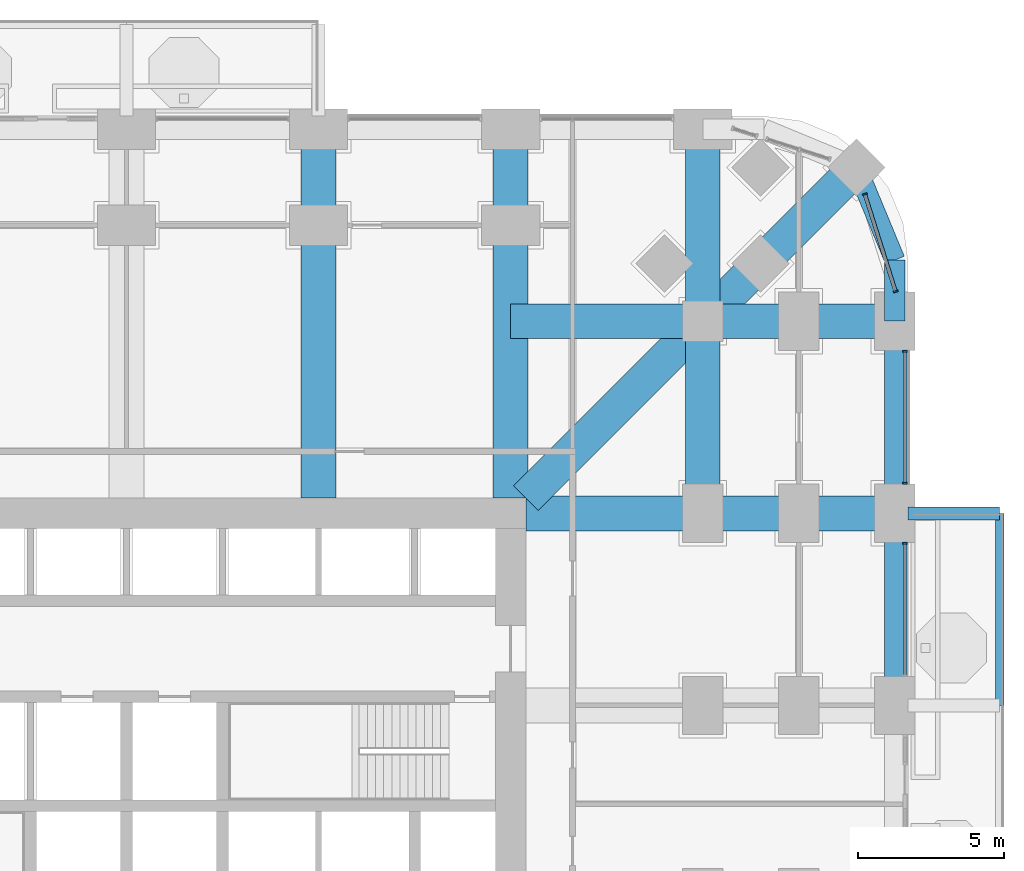
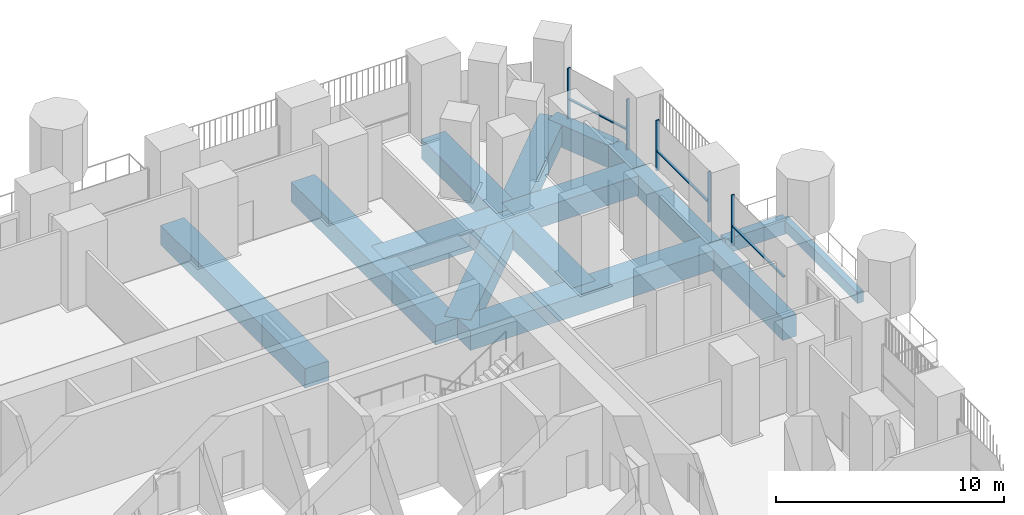
# One storey, part 8 of 24: 15 beams, 8 members, 3 elements without a shape of their own.
"""IFC4 building model written with IfcOpenShell, lengths in metres."""

from ifc_helpers import new_model, si_unit, direction, frame, origin, origin_2d, place, context, subcontext, project, spatial, rectangle, extrude, material, material_profile, profile_set, type_object, element, aggregate, save


model = new_model("IFC4")

# Units and contexts
model_context = context("Model", 3, precision=1e-05, world=origin(), true_north=direction((0.0, 1.0)))
body_context = subcontext(model_context, "Body", "Model", "MODEL_VIEW")
ifc_project = project(units=[si_unit("LENGTHUNIT", "METRE"), si_unit("AREAUNIT", "SQUARE_METRE"), si_unit("VOLUMEUNIT", "CUBIC_METRE"), si_unit("PLANEANGLEUNIT", "RADIAN"), si_unit("MASSUNIT", "GRAM", prefix="KILO")], contexts=[model_context])

# Site, building, storey
site_placement = place(None, origin())
site = spatial("IfcSite", under=ifc_project, at=site_placement, CompositionType="ELEMENT")
building_placement = place(site_placement, origin())
building = spatial("IfcBuilding", under=site, at=building_placement, Name="Cobogo Forest Laboratory Tower", CompositionType="ELEMENT")
storey_placement = place(building_placement, frame((0.0, 0.0, 17.10009765625)))
storey = spatial("IfcBuildingStorey", under=building, at=storey_placement, Name="L03", CompositionType="ELEMENT", Elevation=17.10009765625)

# Beams
ifc_material_1 = material(Name="Concrete HA-40 (C40/50)", Category="concrete")
ifc_material_profile_1 = material_profile(ifc_material_1, rectangle(XDim=0.449951171875, YDim=0.75, at=origin_2d()), Name="RC 450x750")
ifc_profile_set_1 = profile_set([ifc_material_profile_1], Name="Concrete HA-40 (C40/50)")
beam_type_1 = type_object("IfcBeamType", Name="Balcony cantilever beam 450x750", PredefinedType="BEAM", material=ifc_profile_set_1)
beam_1_placement = place(storey_placement, frame((53.25, 33.0, -0.625), z_axis=(1.0, 0.0, 0.0), x_axis=(0.0, 1.0, 0.0)))
element("IfcBeam", 1, at=beam_1_placement, inside=storey, type_object=beam_type_1, Name="CB1 BAL-E1-C3 L03", PredefinedType="BEAM", context=body_context, shape_type="SweptSolid", body=[
    extrude(rectangle(XDim=0.449951171875, YDim=0.75, at=origin_2d()), origin(), (0.0, 0.0, 1.0), 3.14990234375),
])
ifc_material_profile_2 = material_profile(ifc_material_1, rectangle(XDim=0.300048828125, YDim=0.60009765625, at=origin_2d()), Name="RC 300x600")
ifc_profile_set_2 = profile_set([ifc_material_profile_2], Name="Concrete HA-40 (C40/50)")
beam_type_2 = type_object("IfcBeamType", Name="Balcony edge beam 300x600", PredefinedType="BEAM", material=ifc_profile_set_2)
beam_2_placement = place(storey_placement, frame((56.39990234375, 26.39990234375, -0.550048828125), z_axis=(0.0, 1.0, 0.0), x_axis=(-1.0, 0.0, 0.0)))
element("IfcBeam", 2, at=beam_2_placement, inside=storey, type_object=beam_type_2, Name="BB1 BAL-E1-T2 L03", PredefinedType="BEAM", context=body_context, shape_type="SweptSolid", body=[
    extrude(rectangle(XDim=0.300048828125, YDim=0.60009765625, at=origin_2d()), origin(), (0.0, 0.0, 1.0), 6.60009765625),
])
ifc_material_profile_3 = material_profile(ifc_material_1, rectangle(XDim=1.199951171875, YDim=1.050048828125, at=origin_2d()), Name="RC 1200x1050")
ifc_profile_set_3 = profile_set([ifc_material_profile_3], Name="Concrete HA-40 (C40/50)")
beam_type_3 = type_object("IfcBeamType", Name="Laboratory floor wide beam 1200x1050", PredefinedType="BEAM", material=ifc_profile_set_3)
for number, where, z_axis, x_axis, name in (
    (3, (33.0, 33.52490234375, -0.8251953125), (0.0, 1.0, 0.0), (-1.0, 0.0, 0.0), "RB1 R-6-N L03"),
    (4, (39.60009765625, 33.52490234375, -0.8251953125), (0.0, 1.0, 0.0), (-1.0, 0.0, 0.0), "RB1 R-7-N L03"),
    (5, (40.125, 33.0, -0.8251953125), (1.0, 0.0, 0.0), (0.0, 1.0, 0.0), "RB1 R-F-E L03"),
):
    element("IfcBeam", number, at=place(storey_placement, frame(where, z_axis=z_axis, x_axis=x_axis)), inside=storey, type_object=beam_type_3, Name=name, PredefinedType="BEAM", context=body_context, shape_type="SweptSolid", body=[
        extrude(rectangle(XDim=1.199951171875, YDim=1.050048828125, at=origin_2d()), origin(), (0.0, 0.0, 1.0), 12.675048828125),
    ])
beam_3_placement = place(storey_placement, frame((46.199951171875, 46.199951171875, -0.8251953125), z_axis=(0.0, -1.0, 0.0), x_axis=(1.0, 0.0, 0.0)))
element("IfcBeam", 6, at=beam_3_placement, inside=storey, type_object=beam_type_3, Name="RB1 G-NE-XF L03", PredefinedType="BEAM", context=body_context, shape_type="SweptSolid", body=[
    extrude(rectangle(XDim=1.199951171875, YDim=1.050048828125, at=origin_2d()), origin(), (0.0, 0.0, 1.0), 6.599853515625),
])
for number, where, z_axis, x_axis, name in (
    (7, (46.199951171875, 39.60009765625, -0.8251953125), (0.0, -1.0, 0.0), (1.0, 0.0, 0.0), "RB1 G-NE-XC L03"),
    (8, (52.800048828125, 39.60009765625, -0.8251953125), (-1.0, 0.0, 0.0), (0.0, -1.0, 0.0), "RB1 G-NE-YF L03"),
):
    element("IfcBeam", number, at=place(storey_placement, frame(where, z_axis=z_axis, x_axis=x_axis)), inside=storey, type_object=beam_type_3, Name=name, PredefinedType="BEAM", context=body_context, shape_type="SweptSolid", body=[
        extrude(rectangle(XDim=1.199951171875, YDim=1.050048828125, at=origin_2d()), origin(), (0.0, 0.0, 1.0), 6.60009765625),
    ])
beam_4_placement = place(storey_placement, frame((46.199951171875, 39.60009765625, -0.8251953125), z_axis=(-1.0, 0.0, 0.0), x_axis=(0.0, -1.0, 0.0)))
element("IfcBeam", 9, at=beam_4_placement, inside=storey, type_object=beam_type_3, Name="RB1 G-NE-YC L03", PredefinedType="BEAM", context=body_context, shape_type="SweptSolid", body=[
    extrude(rectangle(XDim=1.199951171875, YDim=1.050048828125, at=origin_2d()), origin(), (0.0, 0.0, 1.0), 6.599853515625),
])
beam_5_placement = place(storey_placement, frame((51.48193359375, 44.882080078125, -0.8251953125), z_axis=(-0.707106781187, -0.707106781187, 0.0), x_axis=(0.707106781187, -0.707106781187, 0.0)))
element("IfcBeam", 10, at=beam_5_placement, inside=storey, type_object=beam_type_3, Name="RB1 G-NE-D1 L03", PredefinedType="BEAM", context=body_context, shape_type="SweptSolid", body=[
    extrude(rectangle(XDim=1.199951171875, YDim=1.050048828125, at=origin_2d()), origin(), (0.0, 0.0, 1.0), 7.469970703125),
])
beam_6_placement = place(storey_placement, frame((46.199951171875, 39.60009765625, -0.8251953125), z_axis=(-0.707092572697, -0.70712098939, 0.0), x_axis=(0.70712098939, -0.707092572697, 0.0)))
element("IfcBeam", 11, at=beam_6_placement, inside=storey, type_object=beam_type_3, Name="RB1 G-NE-D2 L03", PredefinedType="BEAM", context=body_context, shape_type="SweptSolid", body=[
    extrude(rectangle(XDim=1.199951171875, YDim=1.050048828125, at=origin_2d()), origin(), (0.0, 0.0, 1.0), 8.591552734375),
])

# Curtain wall, member
ifc_material_2 = material(Name="Aluminium curtain wall", Category="aluminium")
curtain_wall_type = type_object("IfcCurtainWallType", Name="CW-1 unitised curtain wall, clear glazing, laboratory floors zones A and B", PredefinedType="USERDEFINED", material=ifc_material_2)
curtain_wall_1_placement = place(storey_placement, origin())
curtain_wall_1 = element("IfcCurtainWall", 12, at=curtain_wall_1_placement, inside=storey, type_object=curtain_wall_type, Name="Curtain wall 13 L03", ObjectType="UNITISED CURTAIN WALL", PredefinedType="USERDEFINED")
ifc_material_3 = material(Name="Aluminium mullion", Category="aluminium")
ifc_material_profile_4 = material_profile(ifc_material_3, rectangle(XDim=0.06005859375, YDim=0.159912109375, at=origin_2d()), Name="AL 60x160")
ifc_profile_set_4 = profile_set([ifc_material_profile_4], Name="Aluminium mullion")
member_type_1 = type_object("IfcMemberType", Name="MU-1 aluminium mullion 60x160", PredefinedType="MULLION", material=ifc_profile_set_4)
member_1_placement = place(storey_placement, frame((53.14990234375, 31.969970703125, 0.0), z_axis=(0.0, 0.0, 1.0), x_axis=(0.0, 1.0, 0.0)))
member_1 = element("IfcMember", 13, at=member_1_placement, type_object=member_type_1, Name="CW-1 mullion 2", PredefinedType="MULLION", context=body_context, shape_type="SweptSolid", body=[
    extrude(rectangle(XDim=0.06005859375, YDim=0.159912109375, at=origin_2d()), origin(), (0.0, 0.0, 1.0), 2.699951171875),
])

# Curtain wall, members
curtain_wall_2_placement = place(storey_placement, origin())
curtain_wall_2 = element("IfcCurtainWall", 14, at=curtain_wall_2_placement, inside=storey, type_object=curtain_wall_type, Name="Curtain wall 14 L03", ObjectType="UNITISED CURTAIN WALL", PredefinedType="USERDEFINED")
member_2_placement = place(storey_placement, frame((53.14990234375, 34.030029296875, 0.0), z_axis=(0.0, 0.0, 1.0), x_axis=(0.0, 1.0, 0.0)))
member_2 = element("IfcMember", 15, at=member_2_placement, type_object=member_type_1, Name="CW-1 mullion 1", PredefinedType="MULLION", context=body_context, shape_type="SweptSolid", body=[
    extrude(rectangle(XDim=0.06005859375, YDim=0.159912109375, at=origin_2d()), origin(), (0.0, 0.0, 1.0), 2.699951171875),
])
member_3_placement = place(storey_placement, frame((53.14990234375, 38.570068359375, 0.0), z_axis=(0.0, 0.0, 1.0), x_axis=(0.0, 1.0, 0.0)))
member_3 = element("IfcMember", 16, at=member_3_placement, type_object=member_type_1, Name="CW-1 mullion 2", PredefinedType="MULLION", context=body_context, shape_type="SweptSolid", body=[
    extrude(rectangle(XDim=0.06005859375, YDim=0.159912109375, at=origin_2d()), origin(), (0.0, 0.0, 1.0), 2.699951171875),
])

curtain_wall_3_placement = place(storey_placement, origin())
curtain_wall_3 = element("IfcCurtainWall", 17, at=curtain_wall_3_placement, inside=storey, type_object=curtain_wall_type, Name="Curtain wall 15 L03", ObjectType="UNITISED CURTAIN WALL", PredefinedType="USERDEFINED")
member_4_placement = place(storey_placement, frame((52.8251953125, 40.628662109375, 0.0), z_axis=(0.0, 0.0, 1.0), x_axis=(-0.301135433696, 0.953581381201, 0.0)))
member_4 = element("IfcMember", 18, at=member_4_placement, type_object=member_type_1, Name="CW-1 mullion 1", PredefinedType="MULLION", context=body_context, shape_type="SweptSolid", body=[
    extrude(rectangle(XDim=0.06005859375, YDim=0.159912109375, at=origin_2d()), origin(), (0.0, 0.0, 1.0), 2.699951171875),
])
member_5_placement = place(storey_placement, frame((51.772705078125, 43.961181640625, 0.0), z_axis=(0.0, 0.0, 1.0), x_axis=(-0.301135433696, 0.953581381201, 0.0)))
member_5 = element("IfcMember", 19, at=member_5_placement, type_object=member_type_1, Name="CW-1 mullion 2", PredefinedType="MULLION", context=body_context, shape_type="SweptSolid", body=[
    extrude(rectangle(XDim=0.06005859375, YDim=0.159912109375, at=origin_2d()), origin(), (0.0, 0.0, 1.0), 2.699951171875),
])

# Beams
ifc_material_profile_5 = material_profile(ifc_material_1, rectangle(XDim=0.699951171875, YDim=1.199951171875, at=origin_2d()), Name="RC 700x1200")
ifc_profile_set_5 = profile_set([ifc_material_profile_5], Name="Concrete HA-40 (C40/50)")
beam_type_4 = type_object("IfcBeamType", Name="Perimeter edge beam 700x1200", PredefinedType="BEAM", material=ifc_profile_set_5)
for number, where, z_axis, x_axis, name in (
    (20, (52.800048828125, 26.39990234375, -0.900146484375), (0.0, 1.0, 0.0), (-1.0, 0.0, 0.0), "EB1 E-E4 L03"),
    (21, (52.800048828125, 33.0, -0.900146484375), (0.0, 1.0, 0.0), (-1.0, 0.0, 0.0), "EB1 E-E5 L03"),
):
    element("IfcBeam", number, at=place(storey_placement, frame(where, z_axis=z_axis, x_axis=x_axis)), inside=storey, type_object=beam_type_4, Name=name, PredefinedType="BEAM", context=body_context, shape_type="SweptSolid", body=[
        extrude(rectangle(XDim=0.699951171875, YDim=1.199951171875, at=origin_2d()), origin(), (0.0, 0.0, 1.0), 6.60009765625),
    ])
beam_7_placement = place(storey_placement, frame((52.800048828125, 39.60009765625, -0.900146484375), z_axis=(0.0, 1.0, 0.0), x_axis=(-1.0, 0.0, 0.0)))
element("IfcBeam", 22, at=beam_7_placement, inside=storey, type_object=beam_type_4, Name="EB1 E-NEE1 L03", PredefinedType="BEAM", context=body_context, shape_type="SweptSolid", body=[
    extrude(rectangle(XDim=0.699951171875, YDim=1.199951171875, at=origin_2d()), origin(), (0.0, 0.0, 1.0), 2.099853515625),
])
beam_8_placement = place(storey_placement, frame((52.800048828125, 41.699951171875, -0.900146484375), z_axis=(-0.382691928466, 0.923876013265, 0.0), x_axis=(-0.923876013265, -0.382691928466, 0.0)))
element("IfcBeam", 23, at=beam_8_placement, inside=storey, type_object=beam_type_4, Name="EB1 E-NEE2 L03", PredefinedType="BEAM", context=body_context, shape_type="SweptSolid", body=[
    extrude(rectangle(XDim=0.699951171875, YDim=1.199951171875, at=origin_2d()), origin(), (0.0, 0.0, 1.0), 3.4443359375),
])

# Member
ifc_material_4 = material(Name="Aluminium transom", Category="aluminium")
ifc_material_profile_6 = material_profile(ifc_material_4, rectangle(XDim=0.1201171875, YDim=0.06005859375, at=origin_2d()), Name="AL 60x120")
ifc_profile_set_6 = profile_set([ifc_material_profile_6], Name="Aluminium transom")
member_type_2 = type_object("IfcMemberType", Name="TR-1 aluminium transom 60x120", PredefinedType="USERDEFINED", material=ifc_profile_set_6)
member_6_placement = place(storey_placement, frame((53.14990234375, 27.4599609375, 1.0498046875), z_axis=(0.0, 1.0, 0.0), x_axis=(-1.0, 0.0, 0.0)))
member_6 = element("IfcMember", 24, at=member_6_placement, type_object=member_type_2, Name="CW-1 transom 1.1", ObjectType="TRANSOM", PredefinedType="USERDEFINED", context=body_context, shape_type="SweptSolid", body=[
    extrude(rectangle(XDim=0.1201171875, YDim=0.06005859375, at=origin_2d()), origin(), (0.0, 0.0, 1.0), 4.47998046875),
])

aggregate(curtain_wall_1, [member_1, member_6])

member_7_placement = place(storey_placement, frame((53.14990234375, 34.06005859375, 1.0498046875), z_axis=(0.0, 1.0, 0.0), x_axis=(-1.0, 0.0, 0.0)))
member_7 = element("IfcMember", 25, at=member_7_placement, type_object=member_type_2, Name="CW-1 transom 1.1", ObjectType="TRANSOM", PredefinedType="USERDEFINED", context=body_context, shape_type="SweptSolid", body=[
    extrude(rectangle(XDim=0.1201171875, YDim=0.06005859375, at=origin_2d()), origin(), (0.0, 0.0, 1.0), 4.47998046875),
])

aggregate(curtain_wall_2, [member_2, member_3, member_7])

member_8_placement = place(storey_placement, frame((52.816162109375, 40.6572265625, 1.0498046875), z_axis=(-0.301155179686, 0.953575145308, 0.0), x_axis=(-0.953575145308, -0.301155179686, 0.0)))
member_8 = element("IfcMember", 26, at=member_8_placement, type_object=member_type_2, Name="CW-1 transom 1.1", ObjectType="TRANSOM", PredefinedType="USERDEFINED", context=body_context, shape_type="SweptSolid", body=[
    extrude(rectangle(XDim=0.1201171875, YDim=0.06005859375, at=origin_2d()), origin(), (0.0, 0.0, 1.0), 3.434814453125),
])

aggregate(curtain_wall_3, [member_4, member_5, member_8])

save(model, "model.ifc")
